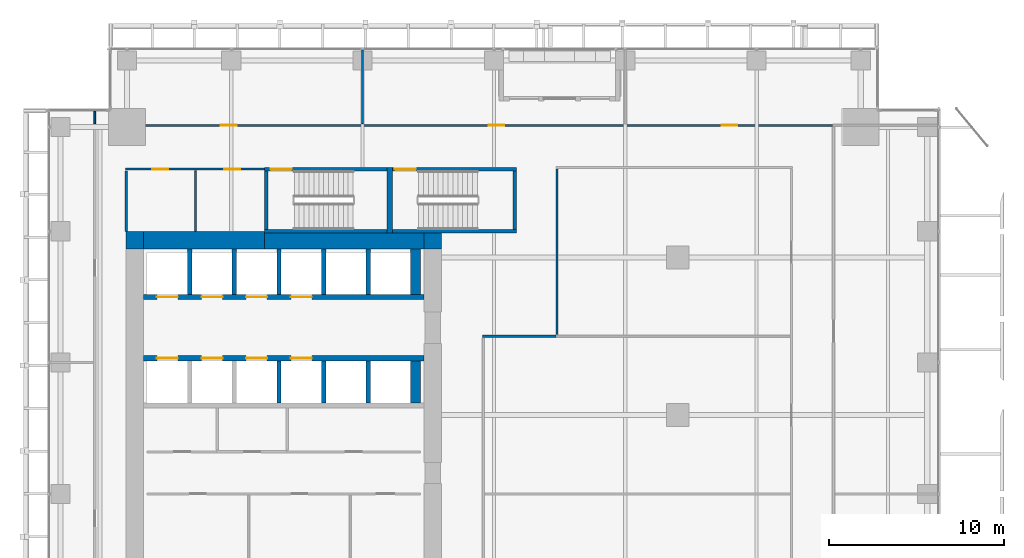
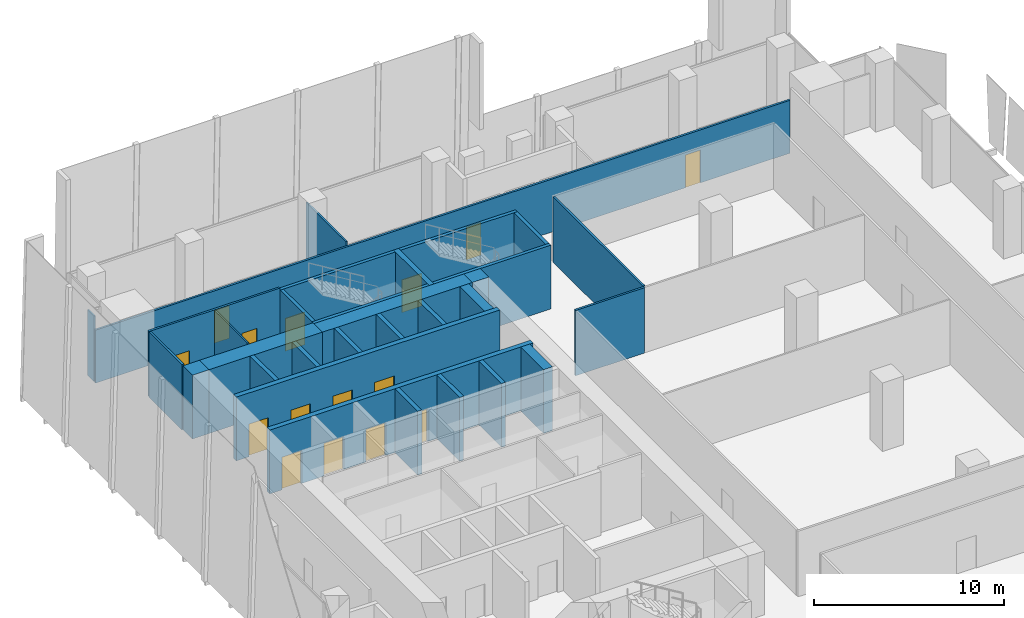
# One storey, part 30 of 34: 31 walls, 15 doors, 15 openings.
"""IFC4 building model written with IfcOpenShell, lengths in metres."""

from ifc_helpers import new_model, si_unit, direction, frame, frame_2d, origin, place, context, subcontext, project, spatial, rectangle, extrude, source, transform, mapped, material, layer, layer_set, type_object, element, fill, save


model = new_model("IFC4")

# Units and contexts
model_context = context("Model", 3, precision=1e-05, world=origin(), true_north=direction((0.0, 1.0)))
body_context = subcontext(model_context, "Body", "Model", "MODEL_VIEW")
ifc_project = project(units=[si_unit("LENGTHUNIT", "METRE"), si_unit("AREAUNIT", "SQUARE_METRE"), si_unit("VOLUMEUNIT", "CUBIC_METRE"), si_unit("PLANEANGLEUNIT", "RADIAN"), si_unit("MASSUNIT", "GRAM", prefix="KILO")], contexts=[model_context])

# Site, building, storey
site_placement = place(None, origin())
site = spatial("IfcSite", under=ifc_project, at=site_placement, CompositionType="ELEMENT")
building_placement = place(site_placement, origin())
building = spatial("IfcBuilding", under=site, at=building_placement, Name="Khomas Fold Tower", CompositionType="ELEMENT")
storey_placement = place(building_placement, frame((0.0, 0.0, 154.300048828125)))
storey = spatial("IfcBuildingStorey", under=building, at=storey_placement, Name="L33", CompositionType="ELEMENT", Elevation=154.300048828125)

# Walls
ifc_material_1 = material(Name="Concrete C70/85", Category="concrete")
ifc_layer_1 = layer(ifc_material_1, 1.0)
ifc_layer_set_1 = layer_set([ifc_layer_1], Name="Concrete C70/85")
wall_type_1 = type_object("IfcWallType", Name="Core wall 1000", PredefinedType="SHEAR", material=ifc_layer_set_1)
shared_shape_1 = source(origin(), body_context, "Body", "SweptSolid", [
    extrude(rectangle(XDim=6.89990234375, YDim=1.0, at=frame_2d((3.449951171875, 0.0))), origin(), (0.0, 0.0, 1.0), 4.099853515625),
])
wall_1_placement = place(storey_placement, frame((7.0, 41.5, 0.0), z_axis=(0.0, 0.0, 1.0), x_axis=(1.0, 0.0, 0.0)))
element("IfcWall", 1, at=wall_1_placement, inside=storey, type_object=wall_type_1, Name="Core wall CW-L-N-L21", PredefinedType="SHEAR", context=body_context, shape_type="MappedRepresentation", body=[
    mapped(shared_shape_1, transform((0.0, 0.0, 0.0))),
])
ifc_material_2 = material(Name="Concrete C70/85", Category="concrete")
ifc_layer_2 = layer(ifc_material_2, 0.89990234375)
ifc_layer_set_2 = layer_set([ifc_layer_2], Name="Concrete C70/85")
wall_type_2 = type_object("IfcWallType", Name="Core wall 900", PredefinedType="SHEAR", material=ifc_layer_set_2)
shared_shape_2 = source(origin(), body_context, "Body", "SweptSolid", [
    extrude(rectangle(XDim=9.10009765625, YDim=0.89990234375, at=frame_2d((4.550048828125, 0.0))), origin(), (0.0, 0.0, 1.0), 4.099853515625),
])
wall_2_placement = place(storey_placement, frame((13.89990234375, 41.449951171875, 0.0), z_axis=(0.0, 0.0, 1.0), x_axis=(1.0, 0.0, 0.0)))
element("IfcWall", 2, at=wall_2_placement, inside=storey, type_object=wall_type_2, Name="Core wall CW-L-N-L21-1", PredefinedType="SHEAR", context=body_context, shape_type="MappedRepresentation", body=[
    mapped(shared_shape_2, transform((0.0, 0.0, 0.0))),
])
ifc_material_3 = material(Name="Concrete C70/85", Category="concrete")
ifc_layer_3 = layer(ifc_material_3, 0.89990234375)
ifc_layer_set_3 = layer_set([ifc_layer_3], Name="Concrete C70/85")
wall_type_3 = type_object("IfcWallType", Name="Core corner wall 900", PredefinedType="SHEAR", material=ifc_layer_set_3)
shared_shape_3 = source(origin(), body_context, "Body", "SweptSolid", [
    extrude(rectangle(XDim=1.0, YDim=0.89990234375, at=frame_2d((0.5, 0.0))), origin(), (0.0, 0.0, 1.0), 4.099853515625),
])
wall_3_placement = place(storey_placement, frame((23.0, 41.449951171875, 0.0), z_axis=(0.0, 0.0, 1.0), x_axis=(1.0, 0.0, 0.0)))
element("IfcWall", 3, at=wall_3_placement, inside=storey, type_object=wall_type_3, Name="Core wall CW-L-NE-L21", PredefinedType="SHEAR", context=body_context, shape_type="MappedRepresentation", body=[
    mapped(shared_shape_3, transform((0.0, 0.0, 0.0))),
])
ifc_material_4 = material(Name="Concrete C70/85", Category="concrete")
ifc_layer_4 = layer(ifc_material_4, 1.0)
ifc_layer_set_4 = layer_set([ifc_layer_4], Name="Concrete C70/85")
wall_type_4 = type_object("IfcWallType", Name="Core corner wall 1000", PredefinedType="SHEAR", material=ifc_layer_set_4)
shared_shape_4 = source(origin(), body_context, "Body", "SweptSolid", [
    extrude(rectangle(XDim=1.0, YDim=1.0, at=frame_2d((0.5, 0.0))), origin(), (0.0, 0.0, 1.0), 4.099853515625),
])
wall_4_placement = place(storey_placement, frame((6.0, 41.5, 0.0), z_axis=(0.0, 0.0, 1.0), x_axis=(1.0, 0.0, 0.0)))
element("IfcWall", 4, at=wall_4_placement, inside=storey, type_object=wall_type_4, Name="Core wall CW-L-NW-L21", PredefinedType="SHEAR", context=body_context, shape_type="MappedRepresentation", body=[
    mapped(shared_shape_4, transform((0.0, 0.0, 0.0))),
])

# Wall, opening, door
ifc_material_5 = material(Name="Concrete C50/60", Category="concrete")
ifc_layer_5 = layer(ifc_material_5, 0.199951171875)
ifc_layer_set_5 = layer_set([ifc_layer_5], Name="Concrete C50/60")
wall_type_5 = type_object("IfcWallType", Name="Stair wall 200", PredefinedType="SHEAR", material=ifc_layer_set_5)
shared_shape_5 = source(origin(), body_context, "Body", "SweptSolid", [
    extrude(rectangle(XDim=7.0, YDim=0.199951171875, at=frame_2d((3.5, 0.0))), origin(), (0.0, 0.0, 1.0), 4.099853515625),
])
wall_5_placement = place(storey_placement, frame((13.89990234375, 45.550048828125, 0.0), z_axis=(0.0, 0.0, 1.0), x_axis=(1.0, 0.0, 0.0)))
wall_5 = element("IfcWall", 5, at=wall_5_placement, inside=storey, type_object=wall_type_5, Name="Stair wall SW-ST1-N", PredefinedType="SHEAR", context=body_context, shape_type="MappedRepresentation", body=[
    mapped(shared_shape_5, transform((0.0, 0.0, 0.0))),
])
shared_shape_6 = source(origin(), body_context, "Body", "SweptSolid", [
    extrude(rectangle(XDim=1.199951171875, YDim=2.10009765625, at=frame_2d((0.60009765625, 1.050048828125))), frame((0.0, 0.10986328125, 0.0), z_axis=(0.0, -1.0, 0.0), x_axis=(1.0, 0.0, 0.0)), (0.0, 0.0, 1.0), 0.219970703125),
])
opening_1_placement = place(wall_5_placement, frame((0.35009765625, 0.0, 0.0)))
opening_1 = element("IfcOpeningElement", 6, at=opening_1_placement, cuts=wall_5, Name="Opening SD-ST1", PredefinedType="OPENING", context=body_context, shape_type="MappedRepresentation", body=[
    mapped(shared_shape_6, transform((0.0, 0.0, 0.0))),
])
ifc_material_6 = material(Name="Steel door leaf", Category="steel")
door_type_1 = type_object("IfcDoorType", Name="Stair door 1200x2100 left-hand", OperationType="SINGLE_SWING_LEFT", PredefinedType="DOOR", material=ifc_material_6)
shared_shape_7 = source(origin(), body_context, "Body", "SweptSolid", [
    extrude(rectangle(XDim=1.199951171875, YDim=2.10009765625, at=frame_2d((0.60009765625, 1.050048828125))), frame((0.0, 0.02490234375, 0.0), z_axis=(0.0, -1.0, 0.0), x_axis=(1.0, 0.0, 0.0)), (0.0, 0.0, 1.0), 0.050048828125),
])
door_1_placement = place(opening_1_placement, origin())
door_1 = element("IfcDoor", 7, at=door_1_placement, inside=storey, type_object=door_type_1, Name="Stair door", OperationType="SINGLE_SWING_LEFT", OverallHeight=2.10009765625, OverallWidth=1.199951171875, PredefinedType="DOOR", context=body_context, shape_type="MappedRepresentation", body=[
    mapped(shared_shape_7, transform((0.0, 0.0, 0.0))),
])
fill(opening_1, door_1)

# Wall
wall_6_placement = place(storey_placement, frame((13.89990234375, 42.0, 0.0), z_axis=(0.0, 0.0, 1.0), x_axis=(1.0, 0.0, 0.0)))
element("IfcWall", 8, at=wall_6_placement, inside=storey, type_object=wall_type_5, Name="Stair wall SW-ST1-S", PredefinedType="SHEAR", context=body_context, shape_type="MappedRepresentation", body=[
    mapped(shared_shape_5, transform((0.0, 0.0, 0.0))),
])

# Wall, opening, door
shared_shape_8 = source(origin(), body_context, "Body", "SweptSolid", [
    extrude(rectangle(XDim=7.10009765625, YDim=0.199951171875, at=frame_2d((3.550048828125, 0.0))), origin(), (0.0, 0.0, 1.0), 4.099853515625),
])
wall_7_placement = place(storey_placement, frame((21.199951171875, 45.550048828125, 0.0), z_axis=(0.0, 0.0, 1.0), x_axis=(1.0, 0.0, 0.0)))
wall_7 = element("IfcWall", 9, at=wall_7_placement, inside=storey, type_object=wall_type_5, Name="Stair wall SW-ST3-N", PredefinedType="SHEAR", context=body_context, shape_type="MappedRepresentation", body=[
    mapped(shared_shape_8, transform((0.0, 0.0, 0.0))),
])
opening_2_placement = place(wall_7_placement, frame((0.14990234375, 0.0, 0.0)))
opening_2 = element("IfcOpeningElement", 10, at=opening_2_placement, cuts=wall_7, Name="Opening SD-ST3", PredefinedType="OPENING", context=body_context, shape_type="MappedRepresentation", body=[
    mapped(shared_shape_6, transform((0.0, 0.0, 0.0))),
])
door_2_placement = place(opening_2_placement, origin())
door_2 = element("IfcDoor", 11, at=door_2_placement, inside=storey, type_object=door_type_1, Name="Stair door", OperationType="SINGLE_SWING_LEFT", OverallHeight=2.10009765625, OverallWidth=1.199951171875, PredefinedType="DOOR", context=body_context, shape_type="MappedRepresentation", body=[
    mapped(shared_shape_7, transform((0.0, 0.0, 0.0))),
])
fill(opening_2, door_2)

# Walls
wall_8_placement = place(storey_placement, frame((21.199951171875, 42.0, 0.0), z_axis=(0.0, 0.0, 1.0), x_axis=(1.0, 0.0, 0.0)))
element("IfcWall", 12, at=wall_8_placement, inside=storey, type_object=wall_type_5, Name="Stair wall SW-ST3-S", PredefinedType="SHEAR", context=body_context, shape_type="MappedRepresentation", body=[
    mapped(shared_shape_8, transform((0.0, 0.0, 0.0))),
])
ifc_material_7 = material(Name="Concrete C50/60", Category="concrete")
ifc_layer_6 = layer(ifc_material_7, 0.300048828125)
ifc_layer_set_6 = layer_set([ifc_layer_6], Name="Concrete C50/60")
wall_type_6 = type_object("IfcWallType", Name="Stair wall 300", PredefinedType="SHEAR", material=ifc_layer_set_6)
shared_shape_9 = source(origin(), body_context, "Body", "SweptSolid", [
    extrude(rectangle(XDim=3.75, YDim=0.300048828125, at=frame_2d((1.875, 0.0))), origin(), (0.0, 0.0, 1.0), 4.099853515625),
])
wall_9_placement = place(storey_placement, frame((21.050048828125, 41.89990234375, 0.0), z_axis=(0.0, 0.0, 1.0), x_axis=(0.0, 1.0, 0.0)))
element("IfcWall", 13, at=wall_9_placement, inside=storey, type_object=wall_type_6, Name="Stair wall SW-ST1-E", PredefinedType="SHEAR", context=body_context, shape_type="MappedRepresentation", body=[
    mapped(shared_shape_9, transform((0.0, 0.0, 0.0))),
])
shared_shape_10 = source(origin(), body_context, "Body", "SweptSolid", [
    extrude(rectangle(XDim=3.349853515625, YDim=0.199951171875, at=frame_2d((1.6748046875, 0.0))), origin(), (0.0, 0.0, 1.0), 4.099853515625),
])
for number, where, z_axis, x_axis, name in (
    (14, (14.0, 42.10009765625, 0.0), (0.0, 0.0, 1.0), (0.0, 1.0, 0.0), "Stair wall SW-ST1-W"),
    (15, (28.199951171875, 42.10009765625, 0.0), (0.0, 0.0, 1.0), (0.0, 1.0, 0.0), "Stair wall SW-ST3-E"),
):
    element("IfcWall", number, at=place(storey_placement, frame(where, z_axis=z_axis, x_axis=x_axis)), inside=storey, type_object=wall_type_5, Name=name, PredefinedType="SHEAR", context=body_context, shape_type="MappedRepresentation", body=[
        mapped(shared_shape_10, transform((0.0, 0.0, 0.0))),
    ])

# Wall, openings, doors
ifc_material_8 = material(Name="Concrete C50/60", Category="concrete")
ifc_layer_7 = layer(ifc_material_8, 0.300048828125)
ifc_layer_set_7 = layer_set([ifc_layer_7], Name="Concrete C50/60")
wall_type_7 = type_object("IfcWallType", Name="Shaft wall 300", PredefinedType="STANDARD", material=ifc_layer_set_7)
shared_shape_11 = source(origin(), body_context, "Body", "SweptSolid", [
    extrude(rectangle(XDim=16.0, YDim=0.300048828125, at=frame_2d((8.0, 0.0))), origin(), (0.0, 0.0, 1.0), 4.099853515625),
])
wall_10_placement = place(storey_placement, frame((7.0, 38.25, 0.0), z_axis=(0.0, 0.0, 1.0), x_axis=(1.0, 0.0, 0.0)))
wall_10 = element("IfcWall", 16, at=wall_10_placement, inside=storey, type_object=wall_type_7, Name="Core wall SW-LRN-F", PredefinedType="STANDARD", context=body_context, shape_type="MappedRepresentation", body=[
    mapped(shared_shape_11, transform((0.0, 0.0, 0.0))),
])
shared_shape_12 = source(origin(), body_context, "Body", "SweptSolid", [
    extrude(rectangle(XDim=1.199951171875, YDim=2.10009765625, at=frame_2d((0.60009765625, 1.050048828125))), frame((0.0, 0.159912109375, 0.0), z_axis=(0.0, -1.0, 0.0), x_axis=(1.0, 0.0, 0.0)), (0.0, 0.0, 1.0), 0.320068359375),
])
opening_3_placement = place(wall_10_placement, frame((0.75, 0.0, 0.0)))
opening_3 = element("IfcOpeningElement", 17, at=opening_3_placement, cuts=wall_10, Name="Opening LD-LR5", PredefinedType="OPENING", context=body_context, shape_type="MappedRepresentation", body=[
    mapped(shared_shape_12, transform((0.0, 0.0, 0.0))),
])
opening_4_placement = place(wall_10_placement, frame((3.300048828125, 0.0, 0.0)))
opening_4 = element("IfcOpeningElement", 18, at=opening_4_placement, cuts=wall_10, Name="Opening LD-LR6", PredefinedType="OPENING", context=body_context, shape_type="MappedRepresentation", body=[
    mapped(shared_shape_12, transform((0.0, 0.0, 0.0))),
])
opening_5_placement = place(wall_10_placement, frame((5.85009765625, 0.0, 0.0)))
opening_5 = element("IfcOpeningElement", 19, at=opening_5_placement, cuts=wall_10, Name="Opening LD-LR7", PredefinedType="OPENING", context=body_context, shape_type="MappedRepresentation", body=[
    mapped(shared_shape_12, transform((0.0, 0.0, 0.0))),
])
opening_6_placement = place(wall_10_placement, frame((8.39990234375, 0.0, 0.0)))
opening_6 = element("IfcOpeningElement", 20, at=opening_6_placement, cuts=wall_10, Name="Opening LD-LR8", PredefinedType="OPENING", context=body_context, shape_type="MappedRepresentation", body=[
    mapped(shared_shape_12, transform((0.0, 0.0, 0.0))),
])
ifc_material_9 = material(Name="Steel door leaf", Category="steel")
door_type_2 = type_object("IfcDoorType", Name="Landing door 1200x2100", OperationType="DOUBLE_DOOR_SLIDING", PredefinedType="DOOR", material=ifc_material_9)
door_3_placement = place(opening_3_placement, origin())
door_3 = element("IfcDoor", 21, at=door_3_placement, inside=storey, type_object=door_type_2, Name="Lift landing door", OperationType="DOUBLE_DOOR_SLIDING", OverallHeight=2.10009765625, OverallWidth=1.199951171875, PredefinedType="DOOR", context=body_context, shape_type="MappedRepresentation", body=[
    mapped(shared_shape_7, transform((0.0, 0.0, 0.0))),
])
fill(opening_3, door_3)
door_4_placement = place(opening_4_placement, origin())
door_4 = element("IfcDoor", 22, at=door_4_placement, inside=storey, type_object=door_type_2, Name="Lift landing door", OperationType="DOUBLE_DOOR_SLIDING", OverallHeight=2.10009765625, OverallWidth=1.199951171875, PredefinedType="DOOR", context=body_context, shape_type="MappedRepresentation", body=[
    mapped(shared_shape_7, transform((0.0, 0.0, 0.0))),
])
fill(opening_4, door_4)
door_5_placement = place(opening_5_placement, origin())
door_5 = element("IfcDoor", 23, at=door_5_placement, inside=storey, type_object=door_type_2, Name="Lift landing door", OperationType="DOUBLE_DOOR_SLIDING", OverallHeight=2.10009765625, OverallWidth=1.199951171875, PredefinedType="DOOR", context=body_context, shape_type="MappedRepresentation", body=[
    mapped(shared_shape_7, transform((0.0, 0.0, 0.0))),
])
fill(opening_5, door_5)
door_6_placement = place(opening_6_placement, origin())
door_6 = element("IfcDoor", 24, at=door_6_placement, inside=storey, type_object=door_type_2, Name="Lift landing door", OperationType="DOUBLE_DOOR_SLIDING", OverallHeight=2.10009765625, OverallWidth=1.199951171875, PredefinedType="DOOR", context=body_context, shape_type="MappedRepresentation", body=[
    mapped(shared_shape_7, transform((0.0, 0.0, 0.0))),
])
fill(opening_6, door_6)

wall_11_placement = place(storey_placement, frame((7.0, 34.75, 0.0), z_axis=(0.0, 0.0, 1.0), x_axis=(1.0, 0.0, 0.0)))
wall_11 = element("IfcWall", 25, at=wall_11_placement, inside=storey, type_object=wall_type_7, Name="Core wall SW-LRS-F", PredefinedType="STANDARD", context=body_context, shape_type="MappedRepresentation", body=[
    mapped(shared_shape_11, transform((0.0, 0.0, 0.0))),
])
opening_7_placement = place(wall_11_placement, frame((0.75, 0.0, 0.0)))
opening_7 = element("IfcOpeningElement", 26, at=opening_7_placement, cuts=wall_11, Name="Opening LD-LR1", PredefinedType="OPENING", context=body_context, shape_type="MappedRepresentation", body=[
    mapped(shared_shape_12, transform((0.0, 0.0, 0.0))),
])
opening_8_placement = place(wall_11_placement, frame((3.300048828125, 0.0, 0.0)))
opening_8 = element("IfcOpeningElement", 27, at=opening_8_placement, cuts=wall_11, Name="Opening LD-LR2", PredefinedType="OPENING", context=body_context, shape_type="MappedRepresentation", body=[
    mapped(shared_shape_12, transform((0.0, 0.0, 0.0))),
])
opening_9_placement = place(wall_11_placement, frame((5.85009765625, 0.0, 0.0)))
opening_9 = element("IfcOpeningElement", 28, at=opening_9_placement, cuts=wall_11, Name="Opening LD-LR3", PredefinedType="OPENING", context=body_context, shape_type="MappedRepresentation", body=[
    mapped(shared_shape_12, transform((0.0, 0.0, 0.0))),
])
opening_10_placement = place(wall_11_placement, frame((8.39990234375, 0.0, 0.0)))
opening_10 = element("IfcOpeningElement", 29, at=opening_10_placement, cuts=wall_11, Name="Opening LD-LR4", PredefinedType="OPENING", context=body_context, shape_type="MappedRepresentation", body=[
    mapped(shared_shape_12, transform((0.0, 0.0, 0.0))),
])
door_7_placement = place(opening_7_placement, origin())
door_7 = element("IfcDoor", 30, at=door_7_placement, inside=storey, type_object=door_type_2, Name="Lift landing door", OperationType="DOUBLE_DOOR_SLIDING", OverallHeight=2.10009765625, OverallWidth=1.199951171875, PredefinedType="DOOR", context=body_context, shape_type="MappedRepresentation", body=[
    mapped(shared_shape_7, transform((0.0, 0.0, 0.0))),
])
fill(opening_7, door_7)
door_8_placement = place(opening_8_placement, origin())
door_8 = element("IfcDoor", 31, at=door_8_placement, inside=storey, type_object=door_type_2, Name="Lift landing door", OperationType="DOUBLE_DOOR_SLIDING", OverallHeight=2.10009765625, OverallWidth=1.199951171875, PredefinedType="DOOR", context=body_context, shape_type="MappedRepresentation", body=[
    mapped(shared_shape_7, transform((0.0, 0.0, 0.0))),
])
fill(opening_8, door_8)
door_9_placement = place(opening_9_placement, origin())
door_9 = element("IfcDoor", 32, at=door_9_placement, inside=storey, type_object=door_type_2, Name="Lift landing door", OperationType="DOUBLE_DOOR_SLIDING", OverallHeight=2.10009765625, OverallWidth=1.199951171875, PredefinedType="DOOR", context=body_context, shape_type="MappedRepresentation", body=[
    mapped(shared_shape_7, transform((0.0, 0.0, 0.0))),
])
fill(opening_9, door_9)
door_10_placement = place(opening_10_placement, origin())
door_10 = element("IfcDoor", 33, at=door_10_placement, inside=storey, type_object=door_type_2, Name="Lift landing door", OperationType="DOUBLE_DOOR_SLIDING", OverallHeight=2.10009765625, OverallWidth=1.199951171875, PredefinedType="DOOR", context=body_context, shape_type="MappedRepresentation", body=[
    mapped(shared_shape_7, transform((0.0, 0.0, 0.0))),
])
fill(opening_10, door_10)

# Walls
ifc_material_10 = material(Name="Concrete C50/60", Category="concrete")
ifc_layer_8 = layer(ifc_material_10, 0.25)
ifc_layer_set_8 = layer_set([ifc_layer_8], Name="Concrete C50/60")
wall_type_8 = type_object("IfcWallType", Name="Shaft wall 250", PredefinedType="STANDARD", material=ifc_layer_set_8)
shared_shape_13 = source(origin(), body_context, "Body", "SweptSolid", [
    extrude(rectangle(XDim=2.60009765625, YDim=0.25, at=frame_2d((1.300048828125, 0.0))), origin(), (0.0, 0.0, 1.0), 4.099853515625),
])
for number, where, z_axis, x_axis, name in (
    (34, (9.625, 38.39990234375, 0.0), (0.0, 0.0, 1.0), (0.0, 1.0, 0.0), "Core wall SW-LRN-P1"),
    (35, (12.175048828125, 38.39990234375, 0.0), (0.0, 0.0, 1.0), (0.0, 1.0, 0.0), "Core wall SW-LRN-P2"),
    (36, (14.72509765625, 38.39990234375, 0.0), (0.0, 0.0, 1.0), (0.0, 1.0, 0.0), "Core wall SW-LRN-P3"),
    (37, (17.27490234375, 38.39990234375, 0.0), (0.0, 0.0, 1.0), (0.0, 1.0, 0.0), "Core wall SW-LRN-P4"),
    (38, (19.824951171875, 38.39990234375, 0.0), (0.0, 0.0, 1.0), (0.0, 1.0, 0.0), "Core wall SW-LRN-P5"),
):
    element("IfcWall", number, at=place(storey_placement, frame(where, z_axis=z_axis, x_axis=x_axis)), inside=storey, type_object=wall_type_8, Name=name, PredefinedType="STANDARD", context=body_context, shape_type="MappedRepresentation", body=[
        mapped(shared_shape_13, transform((0.0, 0.0, 0.0))),
    ])
ifc_material_11 = material(Name="Concrete C50/60", Category="concrete")
ifc_layer_9 = layer(ifc_material_11, 0.550048828125)
ifc_layer_set_9 = layer_set([ifc_layer_9], Name="Concrete C50/60")
wall_type_9 = type_object("IfcWallType", Name="Shaft wall 550", PredefinedType="STANDARD", material=ifc_layer_set_9)
shared_shape_14 = source(origin(), body_context, "Body", "SweptSolid", [
    extrude(rectangle(XDim=2.60009765625, YDim=0.550048828125, at=frame_2d((1.300048828125, 0.0))), origin(), (0.0, 0.0, 1.0), 4.099853515625),
])
wall_12_placement = place(storey_placement, frame((22.52490234375, 38.39990234375, 0.0), z_axis=(0.0, 0.0, 1.0), x_axis=(0.0, 1.0, 0.0)))
element("IfcWall", 39, at=wall_12_placement, inside=storey, type_object=wall_type_9, Name="Core wall SW-LRN-PE", PredefinedType="STANDARD", context=body_context, shape_type="MappedRepresentation", body=[
    mapped(shared_shape_14, transform((0.0, 0.0, 0.0))),
])
shared_shape_15 = source(origin(), body_context, "Body", "SweptSolid", [
    extrude(rectangle(XDim=2.400146484375, YDim=0.25, at=frame_2d((1.2001953125, 0.0))), origin(), (0.0, 0.0, 1.0), 4.099853515625),
])
for number, where, z_axis, x_axis, name in (
    (40, (14.72509765625, 32.199951171875, 0.0), (0.0, 0.0, 1.0), (0.0, 1.0, 0.0), "Core wall SW-LRS-P3"),
    (41, (17.27490234375, 32.199951171875, 0.0), (0.0, 0.0, 1.0), (0.0, 1.0, 0.0), "Core wall SW-LRS-P4"),
    (42, (19.824951171875, 32.199951171875, 0.0), (0.0, 0.0, 1.0), (0.0, 1.0, 0.0), "Core wall SW-LRS-P5"),
):
    element("IfcWall", number, at=place(storey_placement, frame(where, z_axis=z_axis, x_axis=x_axis)), inside=storey, type_object=wall_type_8, Name=name, PredefinedType="STANDARD", context=body_context, shape_type="MappedRepresentation", body=[
        mapped(shared_shape_15, transform((0.0, 0.0, 0.0))),
    ])
shared_shape_16 = source(origin(), body_context, "Body", "SweptSolid", [
    extrude(rectangle(XDim=2.400146484375, YDim=0.550048828125, at=frame_2d((1.2001953125, 0.0))), origin(), (0.0, 0.0, 1.0), 4.099853515625),
])
wall_13_placement = place(storey_placement, frame((22.52490234375, 32.199951171875, 0.0), z_axis=(0.0, 0.0, 1.0), x_axis=(0.0, 1.0, 0.0)))
element("IfcWall", 43, at=wall_13_placement, inside=storey, type_object=wall_type_9, Name="Core wall SW-LRS-PE", PredefinedType="STANDARD", context=body_context, shape_type="MappedRepresentation", body=[
    mapped(shared_shape_16, transform((0.0, 0.0, 0.0))),
])

# Wall, openings, doors
ifc_material_12 = material(Name="Plasterboard partition")
ifc_layer_10 = layer(ifc_material_12, 0.125)
ifc_layer_set_10 = layer_set([ifc_layer_10], Name="Plasterboard partition")
wall_type_10 = type_object("IfcWallType", Name="Partition PW2 125", PredefinedType="PARTITIONING", material=ifc_layer_set_10)
shared_shape_17 = source(origin(), body_context, "Body", "SweptSolid", [
    extrude(rectangle(XDim=7.949951171875, YDim=0.125, at=frame_2d((3.97509765625, 0.0))), origin(), (0.0, 0.0, 1.0), 4.199951171875),
])
wall_14_placement = place(storey_placement, frame((5.949951171875, 45.550048828125, 0.0), z_axis=(0.0, 0.0, 1.0), x_axis=(1.0, 0.0, 0.0)))
wall_14 = element("IfcWall", 44, at=wall_14_placement, inside=storey, type_object=wall_type_10, Name="Partition", PredefinedType="PARTITIONING", context=body_context, shape_type="MappedRepresentation", body=[
    mapped(shared_shape_17, transform((0.0, 0.0, 0.0))),
])
shared_shape_18 = source(origin(), body_context, "Body", "SweptSolid", [
    extrude(rectangle(XDim=0.89990234375, YDim=2.10009765625, at=frame_2d((0.449951171875, 1.050048828125))), frame((0.0, 0.072509765625, 0.0), z_axis=(0.0, -1.0, 0.0), x_axis=(1.0, 0.0, 0.0)), (0.0, 0.0, 1.0), 0.14501953125),
])
opening_11_placement = place(wall_14_placement, frame((1.550048828125, 0.0, 0.0)))
opening_11 = element("IfcOpeningElement", 45, at=opening_11_placement, cuts=wall_14, Name="Opening 0007", PredefinedType="OPENING", context=body_context, shape_type="MappedRepresentation", body=[
    mapped(shared_shape_18, transform((0.0, 0.0, 0.0))),
])
opening_12_placement = place(wall_14_placement, frame((5.64990234375, 0.0, 0.0)))
opening_12 = element("IfcOpeningElement", 46, at=opening_12_placement, cuts=wall_14, Name="Opening 0008", PredefinedType="OPENING", context=body_context, shape_type="MappedRepresentation", body=[
    mapped(shared_shape_18, transform((0.0, 0.0, 0.0))),
])
ifc_material_13 = material(Name="Timber door leaf", Category="wood")
door_type_3 = type_object("IfcDoorType", Name="Door 900x2100 left-hand", OperationType="SINGLE_SWING_LEFT", PredefinedType="DOOR", material=ifc_material_13)
shared_shape_19 = source(origin(), body_context, "Body", "SweptSolid", [
    extrude(rectangle(XDim=0.89990234375, YDim=2.10009765625, at=frame_2d((0.449951171875, 1.050048828125))), frame((0.0, 0.02490234375, 0.0), z_axis=(0.0, -1.0, 0.0), x_axis=(1.0, 0.0, 0.0)), (0.0, 0.0, 1.0), 0.050048828125),
])
door_11_placement = place(opening_11_placement, origin())
door_11 = element("IfcDoor", 47, at=door_11_placement, inside=storey, type_object=door_type_3, Name="Door", OperationType="SINGLE_SWING_LEFT", OverallHeight=2.10009765625, OverallWidth=0.89990234375, PredefinedType="DOOR", context=body_context, shape_type="MappedRepresentation", body=[
    mapped(shared_shape_19, transform((0.0, 0.0, 0.0))),
])
fill(opening_11, door_11)
ifc_material_14 = material(Name="Timber door leaf", Category="wood")
door_type_4 = type_object("IfcDoorType", Name="Door 900x2100 right-hand", OperationType="SINGLE_SWING_RIGHT", PredefinedType="DOOR", material=ifc_material_14)
door_12_placement = place(opening_12_placement, origin())
door_12 = element("IfcDoor", 48, at=door_12_placement, inside=storey, type_object=door_type_4, Name="Door", OperationType="SINGLE_SWING_RIGHT", OverallHeight=2.10009765625, OverallWidth=0.89990234375, PredefinedType="DOOR", context=body_context, shape_type="MappedRepresentation", body=[
    mapped(shared_shape_19, transform((0.0, 0.0, 0.0))),
])
fill(opening_12, door_12)

# Walls
shared_shape_20 = source(origin(), body_context, "Body", "SweptSolid", [
    extrude(rectangle(XDim=4.199951171875, YDim=0.125, at=frame_2d((2.10009765625, 0.0))), origin(), (0.0, 0.0, 1.0), 4.199951171875),
])
wall_15_placement = place(storey_placement, frame((26.35009765625, 36.0, 0.0), z_axis=(0.0, 0.0, 1.0), x_axis=(1.0, 0.0, 0.0)))
element("IfcWall", 49, at=wall_15_placement, inside=storey, type_object=wall_type_10, Name="Partition", PredefinedType="PARTITIONING", context=body_context, shape_type="MappedRepresentation", body=[
    mapped(shared_shape_20, transform((0.0, 0.0, 0.0))),
])
shared_shape_21 = source(origin(), body_context, "Body", "SweptSolid", [
    extrude(rectangle(XDim=9.449951171875, YDim=0.125, at=frame_2d((4.72509765625, 0.0))), origin(), (0.0, 0.0, 1.0), 4.199951171875),
])
wall_16_placement = place(storey_placement, frame((30.60009765625, 36.10009765625, 0.0), z_axis=(0.0, 0.0, 1.0), x_axis=(0.0, 1.0, 0.0)))
element("IfcWall", 50, at=wall_16_placement, inside=storey, type_object=wall_type_10, Name="Partition", PredefinedType="PARTITIONING", context=body_context, shape_type="MappedRepresentation", body=[
    mapped(shared_shape_21, transform((0.0, 0.0, 0.0))),
])
shared_shape_22 = source(origin(), body_context, "Body", "SweptSolid", [
    extrude(rectangle(XDim=3.449951171875, YDim=0.125, at=frame_2d((1.72509765625, 0.0))), origin(), (0.0, 0.0, 1.0), 4.199951171875),
])
wall_17_placement = place(storey_placement, frame((6.0, 42.0, 0.0), z_axis=(0.0, 0.0, 1.0), x_axis=(0.0, 1.0, 0.0)))
element("IfcWall", 51, at=wall_17_placement, inside=storey, type_object=wall_type_10, Name="Partition", PredefinedType="PARTITIONING", context=body_context, shape_type="MappedRepresentation", body=[
    mapped(shared_shape_22, transform((0.0, 0.0, 0.0))),
])
ifc_material_15 = material(Name="Plasterboard partition")
ifc_layer_11 = layer(ifc_material_15, 0.10009765625)
ifc_layer_set_11 = layer_set([ifc_layer_11], Name="Plasterboard partition")
wall_type_11 = type_object("IfcWallType", Name="Partition PW1 100", PredefinedType="PARTITIONING", material=ifc_layer_set_11)
shared_shape_23 = source(origin(), body_context, "Body", "SweptSolid", [
    extrude(rectangle(XDim=3.449951171875, YDim=0.10009765625, at=frame_2d((1.72509765625, 0.0))), origin(), (0.0, 0.0, 1.0), 4.199951171875),
])
wall_18_placement = place(storey_placement, frame((9.949951171875, 42.0, 0.0), z_axis=(0.0, 0.0, 1.0), x_axis=(0.0, 1.0, 0.0)))
element("IfcWall", 52, at=wall_18_placement, inside=storey, type_object=wall_type_11, Name="Partition", PredefinedType="PARTITIONING", context=body_context, shape_type="MappedRepresentation", body=[
    mapped(shared_shape_23, transform((0.0, 0.0, 0.0))),
])
shared_shape_24 = source(origin(), body_context, "Body", "SweptSolid", [
    extrude(rectangle(XDim=0.7001953125, YDim=0.10009765625, at=frame_2d((0.35009765625, 0.0))), origin(), (0.0, 0.0, 1.0), 4.199951171875),
])
wall_19_placement = place(storey_placement, frame((4.199951171875, 48.14990234375, 0.0), z_axis=(0.0, 0.0, 1.0), x_axis=(0.0, 1.0, 0.0)))
element("IfcWall", 53, at=wall_19_placement, inside=storey, type_object=wall_type_11, Name="Partition", PredefinedType="PARTITIONING", context=body_context, shape_type="MappedRepresentation", body=[
    mapped(shared_shape_24, transform((0.0, 0.0, 0.0))),
])

# Wall, openings, doors
shared_shape_25 = source(origin(), body_context, "Body", "SweptSolid", [
    extrude(rectangle(XDim=42.2001953125, YDim=0.125, at=frame_2d((21.10009765625, 0.0))), origin(), (0.0, 0.0, 1.0), 3.39990234375),
])
wall_20_placement = place(storey_placement, frame((4.14990234375, 48.050048828125, 0.0), z_axis=(0.0, 0.0, 1.0), x_axis=(1.0, 0.0, 0.0)))
wall_20 = element("IfcWall", 54, at=wall_20_placement, inside=storey, type_object=wall_type_10, Name="Partition", PredefinedType="PARTITIONING", context=body_context, shape_type="MappedRepresentation", body=[
    mapped(shared_shape_25, transform((0.0, 0.0, 0.0))),
])
opening_13_placement = place(wall_20_placement, frame((7.25, 0.0, 0.0)))
opening_13 = element("IfcOpeningElement", 55, at=opening_13_placement, cuts=wall_20, Name="Opening 0007", PredefinedType="OPENING", context=body_context, shape_type="MappedRepresentation", body=[
    mapped(shared_shape_18, transform((0.0, 0.0, 0.0))),
])
opening_14_placement = place(wall_20_placement, frame((22.550048828125, 0.0, 0.0)))
opening_14 = element("IfcOpeningElement", 56, at=opening_14_placement, cuts=wall_20, Name="Opening 0007", PredefinedType="OPENING", context=body_context, shape_type="MappedRepresentation", body=[
    mapped(shared_shape_18, transform((0.0, 0.0, 0.0))),
])
opening_15_placement = place(wall_20_placement, frame((35.85009765625, 0.0, 0.0)))
opening_15 = element("IfcOpeningElement", 57, at=opening_15_placement, cuts=wall_20, Name="Opening 0007", PredefinedType="OPENING", context=body_context, shape_type="MappedRepresentation", body=[
    mapped(shared_shape_18, transform((0.0, 0.0, 0.0))),
])
door_13_placement = place(opening_13_placement, origin())
door_13 = element("IfcDoor", 58, at=door_13_placement, inside=storey, type_object=door_type_3, Name="Door", OperationType="SINGLE_SWING_LEFT", OverallHeight=2.10009765625, OverallWidth=0.89990234375, PredefinedType="DOOR", context=body_context, shape_type="MappedRepresentation", body=[
    mapped(shared_shape_19, transform((0.0, 0.0, 0.0))),
])
fill(opening_13, door_13)
door_14_placement = place(opening_14_placement, origin())
door_14 = element("IfcDoor", 59, at=door_14_placement, inside=storey, type_object=door_type_3, Name="Door", OperationType="SINGLE_SWING_LEFT", OverallHeight=2.10009765625, OverallWidth=0.89990234375, PredefinedType="DOOR", context=body_context, shape_type="MappedRepresentation", body=[
    mapped(shared_shape_19, transform((0.0, 0.0, 0.0))),
])
fill(opening_14, door_14)
door_15_placement = place(opening_15_placement, origin())
door_15 = element("IfcDoor", 60, at=door_15_placement, inside=storey, type_object=door_type_3, Name="Door", OperationType="SINGLE_SWING_LEFT", OverallHeight=2.10009765625, OverallWidth=0.89990234375, PredefinedType="DOOR", context=body_context, shape_type="MappedRepresentation", body=[
    mapped(shared_shape_19, transform((0.0, 0.0, 0.0))),
])
fill(opening_15, door_15)

# Wall
shared_shape_26 = source(origin(), body_context, "Body", "SweptSolid", [
    extrude(rectangle(XDim=4.2001953125, YDim=0.10009765625, at=frame_2d((2.10009765625, 0.0))), origin(), (0.0, 0.0, 1.0), 3.619873046875),
])
wall_21_placement = place(storey_placement, frame((19.5, 48.14990234375, 0.0), z_axis=(0.0, 0.0, 1.0), x_axis=(0.0, 1.0, 0.0)))
element("IfcWall", 61, at=wall_21_placement, inside=storey, type_object=wall_type_11, Name="Partition", PredefinedType="PARTITIONING", context=body_context, shape_type="MappedRepresentation", body=[
    mapped(shared_shape_26, transform((0.0, 0.0, 0.0))),
])

save(model, "model.ifc")
